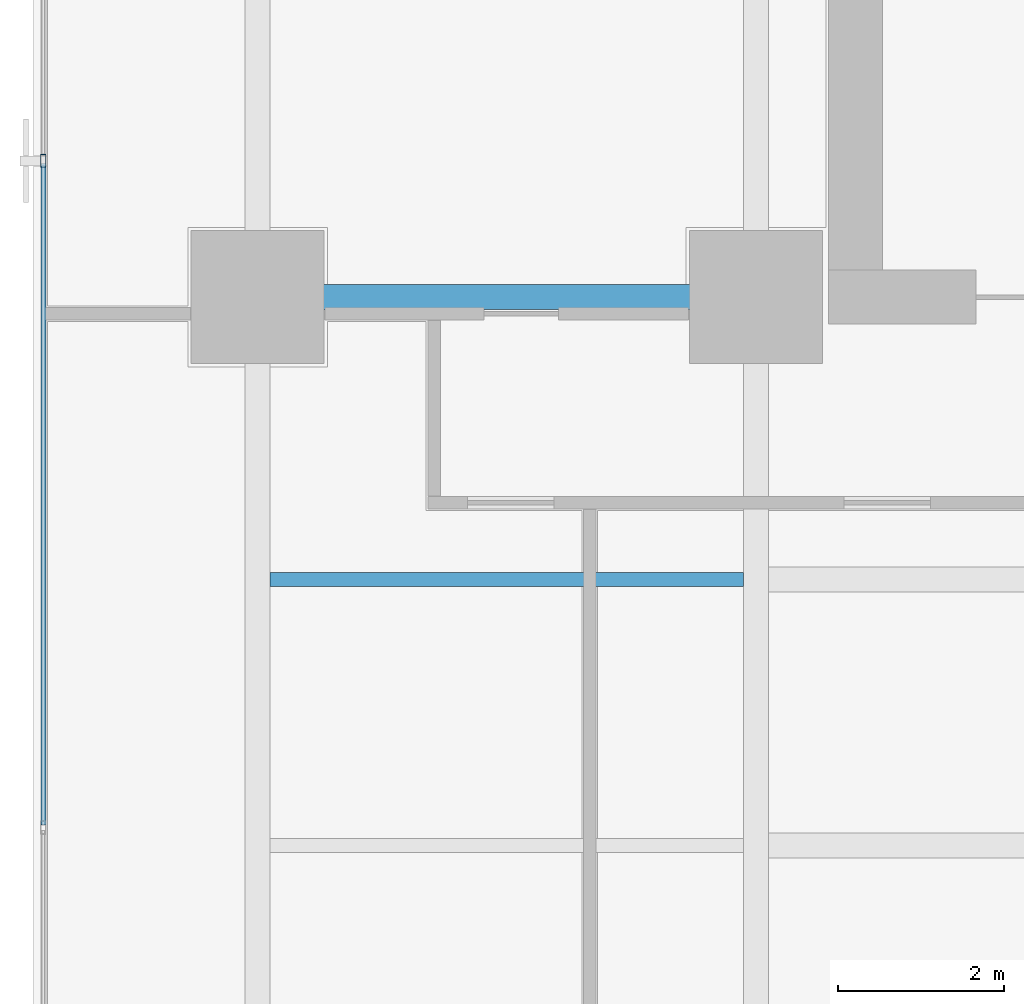
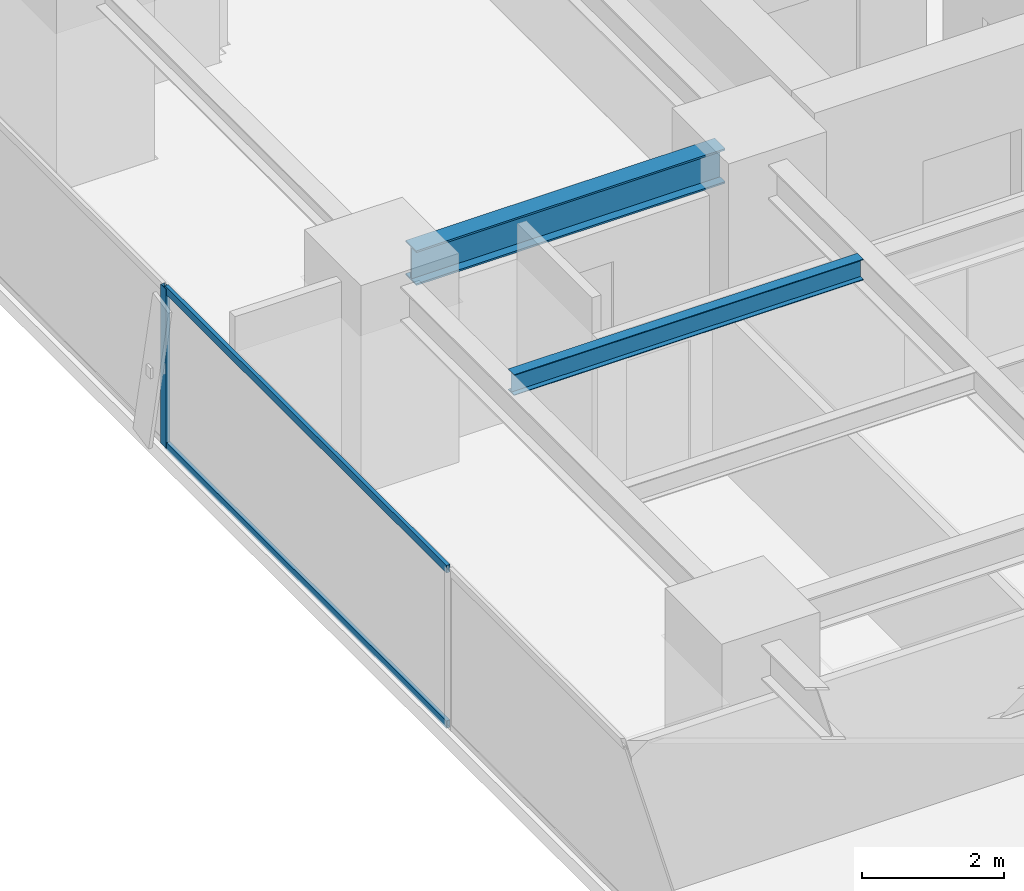
# One storey, part 17 of 34: 3 members, 2 beams, 1 element without a shape of its own.
"""IFC4 building model written with IfcOpenShell, lengths in metres."""

from ifc_helpers import new_model, si_unit, direction, frame, origin, origin_2d, place, context, subcontext, project, spatial, hollow_rectangle, i_section, extrude, source, transform, mapped, material, layer, layer_set, material_profile, profile_set, type_object, element, aggregate, save


model = new_model("IFC4")

# Units and contexts
model_context = context("Model", 3, precision=1e-05, world=origin(), true_north=direction((0.0, 1.0)))
body_context = subcontext(model_context, "Body", "Model", "MODEL_VIEW")
ifc_project = project(units=[si_unit("LENGTHUNIT", "METRE"), si_unit("AREAUNIT", "SQUARE_METRE"), si_unit("VOLUMEUNIT", "CUBIC_METRE"), si_unit("PLANEANGLEUNIT", "RADIAN"), si_unit("MASSUNIT", "GRAM", prefix="KILO")], contexts=[model_context])

# Site, building, storey
site_placement = place(None, origin())
site = spatial("IfcSite", under=ifc_project, at=site_placement, CompositionType="ELEMENT")
building_placement = place(site_placement, origin())
building = spatial("IfcBuilding", under=site, at=building_placement, Name="Sumidabori Civic Tower", CompositionType="ELEMENT")
storey_placement = place(building_placement, frame((0.0, 0.0, 99.199951171875)))
storey = spatial("IfcBuildingStorey", under=building, at=storey_placement, Name="L25", CompositionType="ELEMENT", Elevation=99.199951171875)

# Beams
ifc_material_1 = material(Name="Steel SN490", Category="steel")
ifc_material_profile_1 = material_profile(ifc_material_1, i_section(OverallWidth=0.300048828125, OverallDepth=0.60009765625, WebThickness=0.015380859375, FlangeThickness=0.030029296875, at=origin_2d()), Name="HE 600 B")
ifc_profile_set_1 = profile_set([ifc_material_profile_1], Name="Steel SN490")
beam_type_1 = type_object("IfcBeamType", Name="BM-GIRD-600", PredefinedType="BEAM", material=ifc_profile_set_1)
shared_shape_1 = source(origin(), body_context, "Body", "SweptSolid", [
    extrude(i_section(OverallWidth=0.300048828125, OverallDepth=0.60009765625, WebThickness=0.015380859375, FlangeThickness=0.030029296875, at=origin_2d()), origin(), (0.0, 0.0, 1.0), 5.0400390625),
])
beam_1_placement = place(storey_placement, frame((-22.320068359375, 10.199951171875, 3.06005859375), z_axis=(1.0, 0.0, 0.0), x_axis=(0.0, 1.0, 0.0)))
element("IfcBeam", 1, at=beam_1_placement, inside=storey, type_object=beam_type_1, Name="Primary Girder L25 GX-19", PredefinedType="BEAM", context=body_context, shape_type="MappedRepresentation", body=[
    mapped(shared_shape_1, transform((0.0, 0.0, 0.0), x_axis=(1.0, 0.0, 0.0), y_axis=(0.0, 1.0, 0.0), z_axis=(0.0, 0.0, 1.0), scale=1.0)),
])
ifc_material_profile_2 = material_profile(ifc_material_1, i_section(OverallWidth=0.169921875, OverallDepth=0.360107421875, WebThickness=0.008056640625, FlangeThickness=0.0126953125, at=origin_2d()), Name="IPE 360")
ifc_profile_set_2 = profile_set([ifc_material_profile_2], Name="Steel SN490")
beam_type_2 = type_object("IfcBeamType", Name="BM-JST-360", PredefinedType="JOIST", material=ifc_profile_set_2)
shared_shape_2 = source(origin(), body_context, "Body", "SweptSolid", [
    extrude(i_section(OverallWidth=0.169921875, OverallDepth=0.360107421875, WebThickness=0.008056640625, FlangeThickness=0.0126953125, at=origin_2d()), origin(), (0.0, 0.0, 1.0), 5.699951171875),
])
beam_2_placement = place(storey_placement, frame((-22.64990234375, 6.800048828125, 3.179931640625), z_axis=(1.0, 0.0, 0.0), x_axis=(0.0, 1.0, 0.0)))
element("IfcBeam", 2, at=beam_2_placement, inside=storey, type_object=beam_type_2, Name="Outer Bay Floor Joist L25 JSTO-49", PredefinedType="JOIST", context=body_context, shape_type="MappedRepresentation", body=[
    mapped(shared_shape_2, transform((0.0, 0.0, 0.0), x_axis=(1.0, 0.0, 0.0), y_axis=(0.0, 1.0, 0.0), z_axis=(0.0, 0.0, 1.0), scale=1.0)),
])

# Curtain wall, members
ifc_material_2 = material(Name="Anodised Bronze Aluminium AW-6063-T6", Category="aluminium")
ifc_layer = layer(ifc_material_2, 0.179931640625, Name="Anodised Bronze Aluminium AW-6063-T6")
ifc_layer_set = layer_set([ifc_layer], Name="Anodised Bronze Aluminium AW-6063-T6")
curtain_wall_type = type_object("IfcCurtainWallType", Name="CW-SYS-3", PredefinedType="NOTDEFINED", material=ifc_layer_set)
curtain_wall_placement = place(storey_placement, origin())
curtain_wall = element("IfcCurtainWall", 3, at=curtain_wall_placement, inside=storey, type_object=curtain_wall_type, Name="Curtain Wall CW:L25:R10", PredefinedType="NOTDEFINED")
ifc_material_profile_3 = material_profile(ifc_material_2, hollow_rectangle(XDim=0.06494140625, YDim=0.159912109375, WallThickness=0.0048828125, at=origin_2d()), Name="ALU MULLION 160x65")
ifc_profile_set_3 = profile_set([ifc_material_profile_3], Name="Anodised Bronze Aluminium AW-6063-T6")
member_type_1 = type_object("IfcMemberType", Name="CW-MUL-160", PredefinedType="MULLION", material=ifc_profile_set_3)
shared_shape_3 = source(origin(), body_context, "Body", "SweptSolid", [
    extrude(hollow_rectangle(XDim=0.06494140625, YDim=0.159912109375, WallThickness=0.0048828125, at=origin_2d()), origin(), (0.0, 0.0, 1.0), 2.739990234375),
])
member_1_placement = place(storey_placement, frame((-25.3798828125, 11.842041015625, 0.0), z_axis=(0.0, 0.0, 1.0), x_axis=(1.0, 0.0, 0.0)))
member_1 = element("IfcMember", 4, at=member_1_placement, type_object=member_type_1, Name="CW-3 mullion 2", PredefinedType="MULLION", context=body_context, shape_type="MappedRepresentation", body=[
    mapped(shared_shape_3, transform((0.0, 0.0, 0.0), x_axis=(1.0, 0.0, 0.0), y_axis=(0.0, 1.0, 0.0), z_axis=(0.0, 0.0, 1.0), scale=1.0)),
])
ifc_material_profile_4 = material_profile(ifc_material_2, hollow_rectangle(XDim=0.06005859375, YDim=0.1298828125, WallThickness=0.0048828125, at=origin_2d()), Name="ALU TRANSOM 130x60")
ifc_profile_set_4 = profile_set([ifc_material_profile_4], Name="Anodised Bronze Aluminium AW-6063-T6")
member_type_2 = type_object("IfcMemberType", Name="CW-TRN-130", PredefinedType="USERDEFINED", material=ifc_profile_set_4)
shared_shape_4 = source(origin(), body_context, "Body", "SweptSolid", [
    extrude(hollow_rectangle(XDim=0.06005859375, YDim=0.1298828125, WallThickness=0.0048828125, at=origin_2d()), origin(), (0.0, 0.0, 1.0), 7.963134765625),
])
member_2_placement = place(storey_placement, frame((-25.3798828125, 11.8095703125, 0.030029296875), z_axis=(0.0, -1.0, 0.0), x_axis=(1.0, 0.0, 0.0)))
member_2 = element("IfcMember", 5, at=member_2_placement, type_object=member_type_2, Name="CW-3 transom 2.1", ObjectType="TRANSOM", PredefinedType="USERDEFINED", context=body_context, shape_type="MappedRepresentation", body=[
    mapped(shared_shape_4, transform((0.0, 0.0, 0.0), x_axis=(1.0, 0.0, 0.0), y_axis=(0.0, 1.0, 0.0), z_axis=(0.0, 0.0, 1.0), scale=1.0)),
])
member_3_placement = place(storey_placement, frame((-25.3798828125, 11.8095703125, 2.7099609375), z_axis=(0.0, -1.0, 0.0), x_axis=(1.0, 0.0, 0.0)))
member_3 = element("IfcMember", 6, at=member_3_placement, type_object=member_type_2, Name="CW-3 transom 2.2", ObjectType="TRANSOM", PredefinedType="USERDEFINED", context=body_context, shape_type="MappedRepresentation", body=[
    mapped(shared_shape_4, transform((0.0, 0.0, 0.0), x_axis=(1.0, 0.0, 0.0), y_axis=(0.0, 1.0, 0.0), z_axis=(0.0, 0.0, 1.0), scale=1.0)),
])
aggregate(curtain_wall, [member_1, member_2, member_3])

save(model, "model.ifc")
